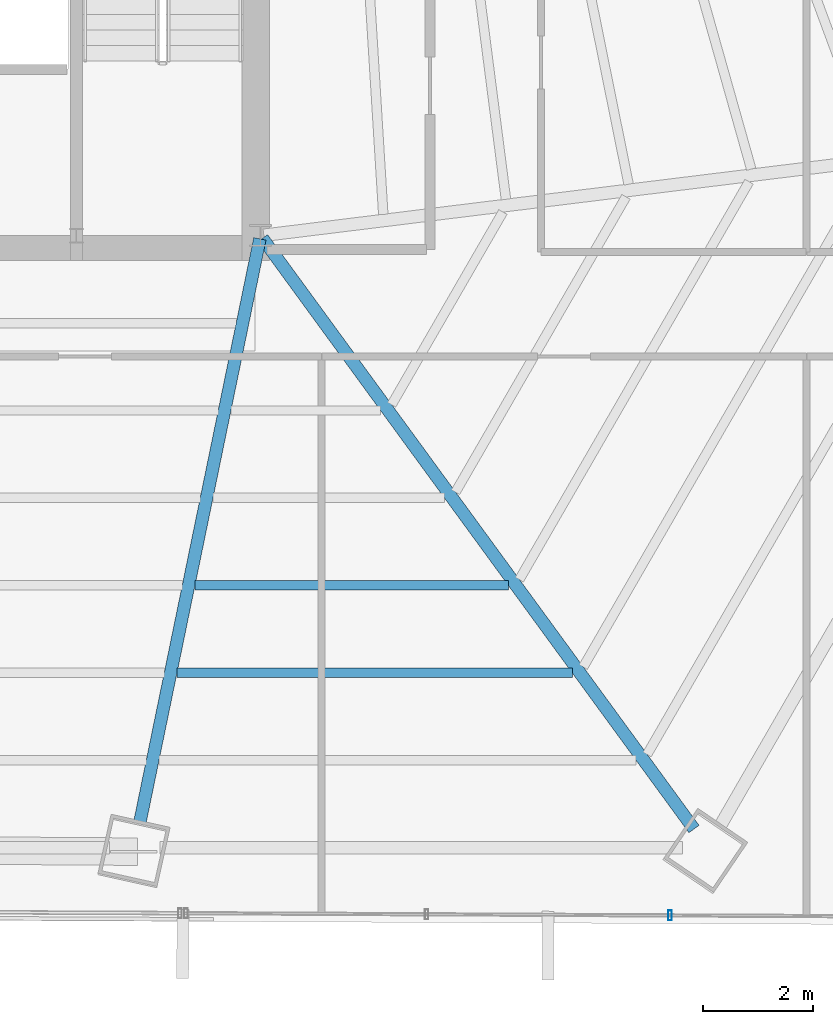
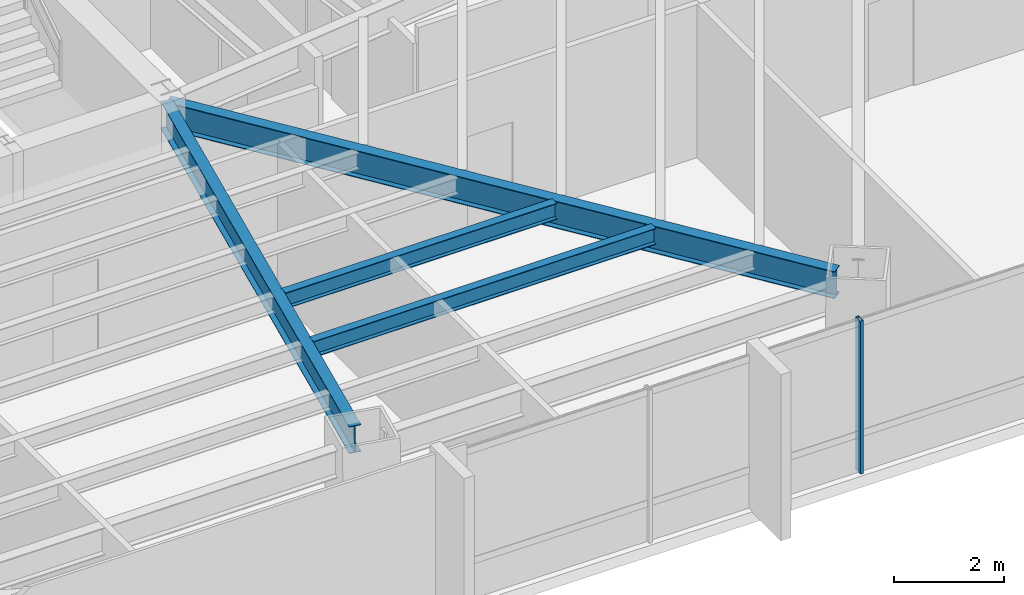
# One storey, part 17 of 35: 4 beams, 1 member, 1 element without a shape of its own.
"""IFC4 building model written with IfcOpenShell, lengths in metres."""

from ifc_helpers import new_model, si_unit, direction, frame, origin, origin_2d, place, context, subcontext, project, spatial, hollow_rectangle, i_section, extrude, source, transform, mapped, material, material_profile, profile_set, type_object, type_shapes, element, aggregate, save


model = new_model("IFC4")

# Units and contexts
model_context = context("Model", 3, precision=1e-05, world=origin(), true_north=direction((0.0, 1.0)))
body_context = subcontext(model_context, "Body", "Model", "MODEL_VIEW")
ifc_project = project(units=[si_unit("LENGTHUNIT", "METRE"), si_unit("AREAUNIT", "SQUARE_METRE"), si_unit("VOLUMEUNIT", "CUBIC_METRE"), si_unit("PLANEANGLEUNIT", "RADIAN"), si_unit("MASSUNIT", "GRAM", prefix="KILO")], contexts=[model_context])

# Site, building, storey
site_placement = place(None, origin())
site = spatial("IfcSite", under=ifc_project, at=site_placement, CompositionType="ELEMENT")
building_placement = place(site_placement, origin())
building = spatial("IfcBuilding", under=site, at=building_placement, Name="Caelisora Broadcast Tower", CompositionType="ELEMENT")
storey_placement = place(building_placement, frame((0.0, 0.0, 98.10009765625)))
storey = spatial("IfcBuildingStorey", under=building, at=storey_placement, Name="L25", CompositionType="ELEMENT", Elevation=98.10009765625)

# Beams
ifc_material_1 = material(Name="Steel Grade 350 (AS/NZS 3679.1)", Category="steel")
ifc_material_profile_1 = material_profile(ifc_material_1, i_section(OverallWidth=0.22802734375, OverallDepth=0.602294921875, WebThickness=0.010498046875, FlangeThickness=0.014892578125, at=origin_2d()), Name="Steel Grade 350 (AS/NZS 3679.1)")
ifc_profile_set_1 = profile_set([ifc_material_profile_1], Name="Steel Grade 350 (AS/NZS 3679.1)")
beam_type_1 = type_object("IfcBeamType", Name="PG04", PredefinedType="BEAM", material=ifc_profile_set_1)
shared_shape_1 = source(origin(), body_context, "Body", "SweptSolid", [
    extrude(i_section(OverallWidth=0.22802734375, OverallDepth=0.602294921875, WebThickness=0.010498046875, FlangeThickness=0.014892578125, at=origin_2d()), origin(), (0.0, 0.0, 1.0), 13.3046875),
])
beam_1_placement = place(storey_placement, frame((45.535400390625, 17.3515625, 3.098876953125), z_axis=(0.589858312123, -0.807506762584, 0.0), x_axis=(0.807506762584, 0.589858312123, 0.0)))
element("IfcBeam", 1, at=beam_1_placement, inside=storey, type_object=beam_type_1, Name="L25 beam PG04", PredefinedType="BEAM", context=body_context, shape_type="MappedRepresentation", body=[
    mapped(shared_shape_1, transform((0.0, 0.0, 0.0), scale=1.0)),
])
shared_shape_2 = source(origin(), body_context, "Body", "SweptSolid", [
    extrude(i_section(OverallWidth=0.22802734375, OverallDepth=0.602294921875, WebThickness=0.010498046875, FlangeThickness=0.014892578125, at=origin_2d()), origin(), (0.0, 0.0, 1.0), 10.88427734375),
])
type_shapes(beam_type_1, [shared_shape_1, shared_shape_2])
beam_2_placement = place(storey_placement, frame((45.48779296875, 17.34130859375, 3.098876953125), z_axis=(-0.201470643868, -0.979494553155, 0.0), x_axis=(0.979494553155, -0.201470643868, 0.0)))
element("IfcBeam", 2, at=beam_2_placement, inside=storey, type_object=beam_type_1, Name="L25 beam PG04", PredefinedType="BEAM", context=body_context, shape_type="MappedRepresentation", body=[
    mapped(shared_shape_2, transform((0.0, 0.0, 0.0), scale=1.0)),
])
ifc_material_profile_2 = material_profile(ifc_material_1, i_section(OverallWidth=0.172119140625, OverallDepth=0.358642578125, WebThickness=0.008056640625, FlangeThickness=0.012939453125, at=origin_2d()), Name="Steel Grade 350 (AS/NZS 3679.1)")
ifc_profile_set_2 = profile_set([ifc_material_profile_2], Name="Steel Grade 350 (AS/NZS 3679.1)")
beam_type_2 = type_object("IfcBeamType", Name="SB02", PredefinedType="JOIST", material=ifc_profile_set_2)
shared_shape_3 = source(origin(), body_context, "Body", "SweptSolid", [
    extrude(i_section(OverallWidth=0.172119140625, OverallDepth=0.358642578125, WebThickness=0.008056640625, FlangeThickness=0.012939453125, at=origin_2d()), origin(), (0.0, 0.0, 1.0), 5.703125),
])
beam_3_placement = place(storey_placement, frame((44.304931640625, 11.039306640625, 3.220703125), z_axis=(1.0, 0.0, 0.0), x_axis=(0.0, 1.0, 0.0)))
element("IfcBeam", 3, at=beam_3_placement, inside=storey, type_object=beam_type_2, Name="L25 beam SB02", PredefinedType="JOIST", context=body_context, shape_type="MappedRepresentation", body=[
    mapped(shared_shape_3, transform((0.0, 0.0, 0.0), scale=1.0)),
])
shared_shape_4 = source(origin(), body_context, "Body", "SweptSolid", [
    extrude(i_section(OverallWidth=0.172119140625, OverallDepth=0.358642578125, WebThickness=0.008056640625, FlangeThickness=0.012939453125, at=origin_2d()), origin(), (0.0, 0.0, 1.0), 7.19189453125),
])
type_shapes(beam_type_2, [shared_shape_3, shared_shape_4])
beam_4_placement = place(storey_placement, frame((43.977783203125, 9.44921875, 3.220703125), z_axis=(1.0, 0.0, 0.0), x_axis=(0.0, 1.0, 0.0)))
element("IfcBeam", 4, at=beam_4_placement, inside=storey, type_object=beam_type_2, Name="L25 beam SB02", PredefinedType="JOIST", context=body_context, shape_type="MappedRepresentation", body=[
    mapped(shared_shape_4, transform((0.0, 0.0, 0.0), scale=1.0)),
])

# Curtain wall, member
ifc_material_2 = material(Name="Unitised Aluminium and Low-E Glass Curtain Wall", Category="glass")
curtain_wall_type = type_object("IfcCurtainWallType", Name="CW-Z2", PredefinedType="NOTDEFINED", material=ifc_material_2)
curtain_wall_placement = place(storey_placement, origin())
curtain_wall = element("IfcCurtainWall", 5, at=curtain_wall_placement, inside=storey, type_object=curtain_wall_type, Name="L25 curtain wall CW-Z2", PredefinedType="NOTDEFINED")
ifc_material_3 = material(Name="Aluminium 6063-T6 Anodised Terracotta Bronze", Category="aluminium")
ifc_material_profile_3 = material_profile(ifc_material_3, hollow_rectangle(XDim=0.06494140625, YDim=0.179931640625, WallThickness=0.00341796875, at=origin_2d()), Name="Aluminium 6063-T6 Anodised Terracotta Bronze")
ifc_profile_set_3 = profile_set([ifc_material_profile_3], Name="Aluminium 6063-T6 Anodised Terracotta Bronze")
member_type = type_object("IfcMemberType", Name="CWM-02", PredefinedType="MULLION", material=ifc_profile_set_3)
shared_shape_5 = source(origin(), body_context, "Body", "SweptSolid", [
    extrude(hollow_rectangle(XDim=0.06494140625, YDim=0.179931640625, WallThickness=0.00341796875, at=origin_2d()), origin(), (0.0, 0.0, 1.0), 3.39990234375),
])
type_shapes(member_type, [shared_shape_5])
member_placement = place(storey_placement, frame((52.946044921875, 5.037109375, 0.0), z_axis=(0.0, 0.0, 1.0), x_axis=(1.0, 0.0, 0.0)))
member = element("IfcMember", 6, at=member_placement, type_object=member_type, Name="L25-CW-B05 mullion #1", PredefinedType="MULLION", context=body_context, shape_type="MappedRepresentation", body=[
    mapped(shared_shape_5, transform((0.0, 0.0, 0.0), scale=1.0)),
])
aggregate(curtain_wall, [member])

save(model, "model.ifc")
